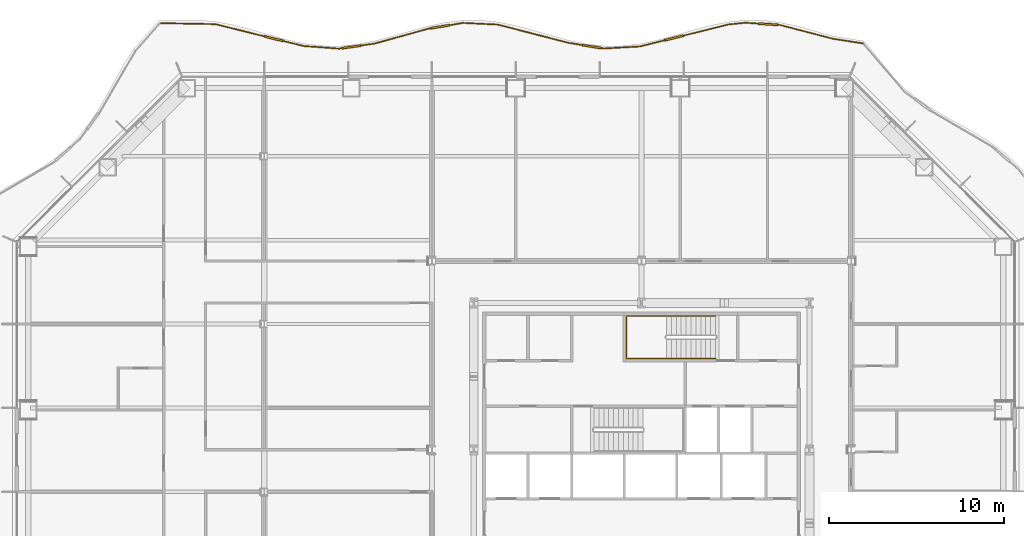
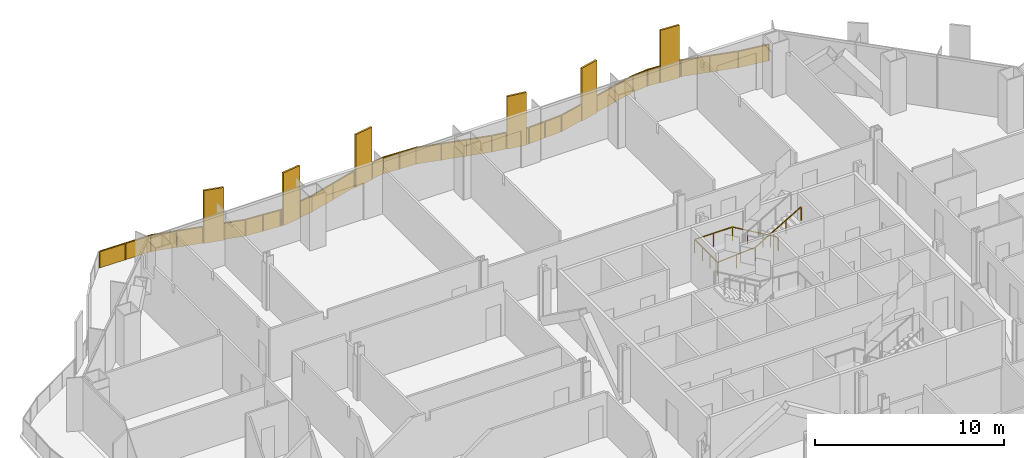
# One storey, part 20 of 21: 2 railings.
"""IFC4 building model written with IfcOpenShell, lengths in metres."""

from ifc_helpers import new_model, si_unit, direction, frame, origin, origin_2d, place, context, subcontext, project, spatial, polyline, rectangle, outline, extrude, material, type_object, element, save


model = new_model("IFC4")

# Units and contexts
model_context = context("Model", 3, precision=1e-05, world=origin(), true_north=direction((0.0, 1.0)))
body_context = subcontext(model_context, "Body", "Model", "MODEL_VIEW")
ifc_project = project(units=[si_unit("LENGTHUNIT", "METRE"), si_unit("AREAUNIT", "SQUARE_METRE"), si_unit("VOLUMEUNIT", "CUBIC_METRE"), si_unit("PLANEANGLEUNIT", "RADIAN"), si_unit("MASSUNIT", "GRAM", prefix="KILO")], contexts=[model_context])

# Site, building, storey
site_placement = place(None, origin())
site = spatial("IfcSite", under=ifc_project, at=site_placement, CompositionType="ELEMENT")
building_placement = place(site_placement, origin())
building = spatial("IfcBuilding", under=site, at=building_placement, Name="Cairn Pilgrim Tower", CompositionType="ELEMENT")
storey_placement = place(building_placement, frame((0.0, 0.0, 43.800048828125)))
storey = spatial("IfcBuildingStorey", under=building, at=storey_placement, Name="L08", CompositionType="ELEMENT", Elevation=43.800048828125)

# Railings
ifc_material_1 = material(Name="Bronze anodised aluminium rail, posts and fin screens with laminated glass infill", Category="aluminium")
railing_type_1 = type_object("IfcRailingType", Name="BALCONY GUARD WITH FIN SCREENS", PredefinedType="GUARDRAIL", material=ifc_material_1)
railing_1_placement = place(storey_placement, frame((19.8671875, 25.657958984375, 0.0)))
element("IfcRailing", 1, at=railing_1_placement, inside=storey, type_object=railing_type_1, Name="Balcony guard BGF-5 with fin screens", PredefinedType="GUARDRAIL", context=body_context, shape_type="SweptSolid", body=[
    extrude(rectangle(XDim=0.050048828125, YDim=0.050048828125, at=origin_2d()), frame((0.0, 0.0, 1.0751953125), z_axis=(-0.988673602471, 0.150081670358, 0.0), x_axis=(-0.150081670358, -0.988673602471, 0.0)), (0.0, 0.0, 1.0), 1.7275390625),
    extrude(rectangle(XDim=0.050048828125, YDim=0.050048828125, at=origin_2d()), frame((-1.7080078125, 0.25927734375, 1.0751953125), z_axis=(-0.967554226321, 0.252663450321, 0.0), x_axis=(-0.252663450321, -0.967554226321, 0.0)), (0.0, 0.0, 1.0), 3.126953125),
    extrude(rectangle(XDim=1.10009765625, YDim=0.110107421875, at=origin_2d()), frame((-5.431884765625, 1.095703125, 0.0), z_axis=(0.0, 0.0, 1.0), x_axis=(-0.997805650521, 0.066210903842, 0.0)), (0.0, 0.0, 1.0), 3.39990234375),
    extrude(rectangle(XDim=0.050048828125, YDim=0.050048828125, at=origin_2d()), frame((-4.7333984375, 1.04931640625, 1.0751953125), z_axis=(-0.997805650521, 0.066210903842, 0.0), x_axis=(-0.066210903842, -0.997805650521, 0.0)), (0.0, 0.0, 1.0), 0.14990234375),
    extrude(rectangle(XDim=0.050048828125, YDim=0.050048828125, at=origin_2d()), frame((-5.980712890625, 1.132080078125, 1.0751953125), z_axis=(-0.997805650521, 0.066210903842, 0.0), x_axis=(-0.066210903842, -0.997805650521, 0.0)), (0.0, 0.0, 1.0), 0.74853515625),
    extrude(rectangle(XDim=0.050048828125, YDim=0.050048828125, at=origin_2d()), frame((-6.7275390625, 1.181640625, 1.0751953125), z_axis=(-0.994675287043, -0.103058591808, 0.0), x_axis=(0.103058591808, -0.994675287043, 0.0)), (0.0, 0.0, 1.0), 0.99267578125),
    extrude(rectangle(XDim=1.10009765625, YDim=0.110107421875, at=origin_2d()), frame((-10.81787109375, 0.308349609375, 0.0), z_axis=(0.0, 0.0, 1.0), x_axis=(-0.970488827202, -0.241146089077, 0.0)), (0.0, 0.0, 1.0), 3.39990234375),
    extrude(rectangle(XDim=0.050048828125, YDim=0.050048828125, at=origin_2d()), frame((-7.71484375, 1.079345703125, 1.0751953125), z_axis=(-0.970488827202, -0.241146089077, 0.0), x_axis=(0.241146089077, -0.970488827202, 0.0)), (0.0, 0.0, 1.0), 2.6474609375),
    extrude(rectangle(XDim=0.050048828125, YDim=0.050048828125, at=origin_2d()), frame((-11.3515625, 0.17578125, 1.0751953125), z_axis=(-0.970488827202, -0.241146089077, 0.0), x_axis=(0.241146089077, -0.970488827202, 0.0)), (0.0, 0.0, 1.0), 1.462646484375),
    extrude(rectangle(XDim=0.050048828125, YDim=0.050048828125, at=origin_2d()), frame((-12.77099609375, -0.177001953125, 1.0751953125), z_axis=(-0.99837210781, -0.057036254671, 0.0), x_axis=(0.057036254671, -0.99837210781, 0.0)), (0.0, 0.0, 1.0), 2.0546875),
    extrude(rectangle(XDim=1.10009765625, YDim=0.110107421875, at=origin_2d()), frame((-15.513427734375, -0.183349609375, 0.0), z_axis=(0.0, 0.0, 1.0), x_axis=(-0.987376522111, 0.158390667606, 0.0)), (0.0, 0.0, 1.0), 3.39990234375),
    extrude(rectangle(XDim=0.050048828125, YDim=0.050048828125, at=origin_2d()), frame((-14.822265625, -0.294189453125, 1.0751953125), z_axis=(-0.987376522111, 0.158390667606, 0.0), x_axis=(-0.158390667606, -0.987376522111, 0.0)), (0.0, 0.0, 1.0), 0.14990234375),
    extrude(rectangle(XDim=0.050048828125, YDim=0.050048828125, at=origin_2d()), frame((-16.056396484375, -0.09619140625, 1.0751953125), z_axis=(-0.987376522111, 0.158390667606, 0.0), x_axis=(-0.158390667606, -0.987376522111, 0.0)), (0.0, 0.0, 1.0), 0.820068359375),
    extrude(rectangle(XDim=0.050048828125, YDim=0.050048828125, at=origin_2d()), frame((-16.8662109375, 0.03369140625, 1.0751953125), z_axis=(-0.968167478254, 0.250303284138, 0.0), x_axis=(-0.250303284138, -0.968167478254, 0.0)), (0.0, 0.0, 1.0), 4.166748046875),
    extrude(rectangle(XDim=0.050048828125, YDim=0.050048828125, at=origin_2d()), frame((-20.900390625, 1.07666015625, 1.0751953125), z_axis=(-0.998856739186, 0.047803918061, 0.0), x_axis=(-0.047803918061, -0.998856739186, 0.0)), (0.0, 0.0, 1.0), 1.99169921875),
    extrude(rectangle(XDim=1.10009765625, YDim=0.110107421875, at=origin_2d()), frame((-24.197021484375, 0.9521484375, 0.0), z_axis=(0.0, 0.0, 1.0), x_axis=(-0.986148493865, -0.165864848742, 0.0)), (0.0, 0.0, 1.0), 3.39990234375),
    extrude(rectangle(XDim=0.050048828125, YDim=0.050048828125, at=origin_2d()), frame((-22.889892578125, 1.171875, 1.0751953125), z_axis=(-0.986148493865, -0.165864848742, 0.0), x_axis=(0.165864848742, -0.986148493865, 0.0)), (0.0, 0.0, 1.0), 0.775390625),
    extrude(rectangle(XDim=0.050048828125, YDim=0.050048828125, at=origin_2d()), frame((-24.7392578125, 0.86083984375, 1.0751953125), z_axis=(-0.986148493865, -0.165864848742, 0.0), x_axis=(0.165864848742, -0.986148493865, 0.0)), (0.0, 0.0, 1.0), 0.14990234375),
    extrude(rectangle(XDim=0.050048828125, YDim=0.050048828125, at=origin_2d()), frame((-24.88720703125, 0.8359375, 1.0751953125), z_axis=(-0.963679976665, -0.267059735967, 0.0), x_axis=(0.267059735967, -0.963679976665, 0.0)), (0.0, 0.0, 1.0), 3.1474609375),
    extrude(rectangle(XDim=1.10009765625, YDim=0.110107421875, at=origin_2d()), frame((-29.2744140625, -0.201416015625, 0.0), z_axis=(0.0, 0.0, 1.0), x_axis=(-0.989611491107, -0.143767509085, 0.0)), (0.0, 0.0, 1.0), 3.39990234375),
    extrude(rectangle(XDim=0.050048828125, YDim=0.050048828125, at=origin_2d()), frame((-27.92041015625, -0.004638671875, 1.0751953125), z_axis=(-0.989611491107, -0.143767509085, 0.0), x_axis=(0.143767509085, -0.989611491107, 0.0)), (0.0, 0.0, 1.0), 0.818115234375),
    extrude(rectangle(XDim=0.050048828125, YDim=0.050048828125, at=origin_2d()), frame((-29.818603515625, -0.280517578125, 1.0751953125), z_axis=(-0.989611491107, -0.143767509085, 0.0), x_axis=(0.143767509085, -0.989611491107, 0.0)), (0.0, 0.0, 1.0), 0.150146484375),
    extrude(rectangle(XDim=0.050048828125, YDim=0.050048828125, at=origin_2d()), frame((-29.96728515625, -0.302001953125, 1.0751953125), z_axis=(-0.997241444051, 0.0742260215, 0.0), x_axis=(-0.0742260215, -0.997241444051, 0.0)), (0.0, 0.0, 1.0), 2.0556640625),
    extrude(rectangle(XDim=1.10009765625, YDim=0.110107421875, at=origin_2d()), frame((-33.7265625, 0.274169921875, 0.0), z_axis=(0.0, 0.0, 1.0), x_axis=(-0.970653918923, 0.240480705419, 0.0)), (0.0, 0.0, 1.0), 3.39990234375),
    extrude(rectangle(XDim=0.050048828125, YDim=0.050048828125, at=origin_2d()), frame((-32.017333984375, -0.1494140625, 1.0751953125), z_axis=(-0.970653918923, 0.240480705419, 0.0), x_axis=(-0.240480705419, -0.970653918923, 0.0)), (0.0, 0.0, 1.0), 1.2109375),
    extrude(rectangle(XDim=0.050048828125, YDim=0.050048828125, at=origin_2d()), frame((-34.260498046875, 0.40625, 1.0751953125), z_axis=(-0.970653918923, 0.240480705419, 0.0), x_axis=(-0.240480705419, -0.970653918923, 0.0)), (0.0, 0.0, 1.0), 2.89013671875),
    extrude(rectangle(XDim=0.050048828125, YDim=0.050048828125, at=origin_2d()), frame((-37.065673828125, 1.101318359375, 1.0751953125), z_axis=(-0.999837855358, 0.018007303883, 0.0), x_axis=(-0.018007303883, -0.999837855358, 0.0)), (0.0, 0.0, 1.0), 3.104736328125),
    extrude(rectangle(XDim=0.050048828125, YDim=0.050048828125, at=origin_2d()), origin(), (0.0, 0.0, 1.0), 1.050048828125),
    extrude(rectangle(XDim=0.050048828125, YDim=0.050048828125, at=origin_2d()), frame((-1.7080078125, 0.25927734375, 0.0)), (0.0, 0.0, 1.0), 1.050048828125),
    extrude(rectangle(XDim=0.050048828125, YDim=0.050048828125, at=origin_2d()), frame((-3.220703125, 0.654296875, 0.0)), (0.0, 0.0, 1.0), 1.050048828125),
    extrude(rectangle(XDim=0.050048828125, YDim=0.050048828125, at=origin_2d()), frame((-4.7333984375, 1.04931640625, 0.0)), (0.0, 0.0, 1.0), 1.050048828125),
    extrude(rectangle(XDim=0.050048828125, YDim=0.050048828125, at=origin_2d()), frame((-4.858154296875, 1.0576171875, 0.0)), (0.0, 0.0, 1.0), 1.050048828125),
    extrude(rectangle(XDim=0.050048828125, YDim=0.050048828125, at=origin_2d()), frame((-6.005615234375, 1.1337890625, 0.0)), (0.0, 0.0, 1.0), 1.050048828125),
    extrude(rectangle(XDim=0.050048828125, YDim=0.050048828125, at=origin_2d()), frame((-6.7275390625, 1.181640625, 0.0)), (0.0, 0.0, 1.0), 1.050048828125),
    extrude(rectangle(XDim=0.050048828125, YDim=0.050048828125, at=origin_2d()), frame((-7.71484375, 1.079345703125, 0.0)), (0.0, 0.0, 1.0), 1.050048828125),
    extrude(rectangle(XDim=0.050048828125, YDim=0.050048828125, at=origin_2d()), frame((-8.9873046875, 0.76318359375, 0.0)), (0.0, 0.0, 1.0), 1.050048828125),
    extrude(rectangle(XDim=0.050048828125, YDim=0.050048828125, at=origin_2d()), frame((-10.259765625, 0.447021484375, 0.0)), (0.0, 0.0, 1.0), 1.050048828125),
    extrude(rectangle(XDim=0.050048828125, YDim=0.050048828125, at=origin_2d()), frame((-11.3759765625, 0.169677734375, 0.0)), (0.0, 0.0, 1.0), 1.050048828125),
    extrude(rectangle(XDim=0.050048828125, YDim=0.050048828125, at=origin_2d()), frame((-12.77099609375, -0.177001953125, 0.0)), (0.0, 0.0, 1.0), 1.050048828125),
    extrude(rectangle(XDim=0.050048828125, YDim=0.050048828125, at=origin_2d()), frame((-13.796630859375, -0.235595703125, 0.0)), (0.0, 0.0, 1.0), 1.050048828125),
    extrude(rectangle(XDim=0.050048828125, YDim=0.050048828125, at=origin_2d()), frame((-14.822265625, -0.294189453125, 0.0)), (0.0, 0.0, 1.0), 1.050048828125),
    extrude(rectangle(XDim=0.050048828125, YDim=0.050048828125, at=origin_2d()), frame((-14.945556640625, -0.2744140625, 0.0)), (0.0, 0.0, 1.0), 1.050048828125),
    extrude(rectangle(XDim=0.050048828125, YDim=0.050048828125, at=origin_2d()), frame((-16.0810546875, -0.09228515625, 0.0)), (0.0, 0.0, 1.0), 1.050048828125),
    extrude(rectangle(XDim=0.050048828125, YDim=0.050048828125, at=origin_2d()), frame((-16.8662109375, 0.03369140625, 0.0)), (0.0, 0.0, 1.0), 1.050048828125),
    extrude(rectangle(XDim=0.050048828125, YDim=0.050048828125, at=origin_2d()), frame((-18.2109375, 0.38134765625, 0.0)), (0.0, 0.0, 1.0), 1.050048828125),
    extrude(rectangle(XDim=0.050048828125, YDim=0.050048828125, at=origin_2d()), frame((-19.5556640625, 0.72900390625, 0.0)), (0.0, 0.0, 1.0), 1.050048828125),
    extrude(rectangle(XDim=0.050048828125, YDim=0.050048828125, at=origin_2d()), frame((-20.900390625, 1.07666015625, 0.0)), (0.0, 0.0, 1.0), 1.050048828125),
    extrude(rectangle(XDim=0.050048828125, YDim=0.050048828125, at=origin_2d()), frame((-21.89501953125, 1.124267578125, 0.0)), (0.0, 0.0, 1.0), 1.050048828125),
    extrude(rectangle(XDim=0.050048828125, YDim=0.050048828125, at=origin_2d()), frame((-22.889892578125, 1.171875, 0.0)), (0.0, 0.0, 1.0), 1.050048828125),
    extrude(rectangle(XDim=0.050048828125, YDim=0.050048828125, at=origin_2d()), frame((-23.6298828125, 1.04736328125, 0.0)), (0.0, 0.0, 1.0), 1.050048828125),
    extrude(rectangle(XDim=0.050048828125, YDim=0.050048828125, at=origin_2d()), frame((-24.763916015625, 0.856689453125, 0.0)), (0.0, 0.0, 1.0), 1.050048828125),
    extrude(rectangle(XDim=0.050048828125, YDim=0.050048828125, at=origin_2d()), frame((-24.88720703125, 0.8359375, 0.0)), (0.0, 0.0, 1.0), 1.050048828125),
    extrude(rectangle(XDim=0.050048828125, YDim=0.050048828125, at=origin_2d()), frame((-26.40380859375, 0.41552734375, 0.0)), (0.0, 0.0, 1.0), 1.050048828125),
    extrude(rectangle(XDim=0.050048828125, YDim=0.050048828125, at=origin_2d()), frame((-27.92041015625, -0.004638671875, 0.0)), (0.0, 0.0, 1.0), 1.050048828125),
    extrude(rectangle(XDim=0.050048828125, YDim=0.050048828125, at=origin_2d()), frame((-28.705322265625, -0.11865234375, 0.0)), (0.0, 0.0, 1.0), 1.050048828125),
    extrude(rectangle(XDim=0.050048828125, YDim=0.050048828125, at=origin_2d()), frame((-29.843505859375, -0.283935546875, 0.0)), (0.0, 0.0, 1.0), 1.050048828125),
    extrude(rectangle(XDim=0.050048828125, YDim=0.050048828125, at=origin_2d()), frame((-29.96728515625, -0.302001953125, 0.0)), (0.0, 0.0, 1.0), 1.050048828125),
    extrude(rectangle(XDim=0.050048828125, YDim=0.050048828125, at=origin_2d()), frame((-30.9921875, -0.2255859375, 0.0)), (0.0, 0.0, 1.0), 1.050048828125),
    extrude(rectangle(XDim=0.050048828125, YDim=0.050048828125, at=origin_2d()), frame((-32.017333984375, -0.1494140625, 0.0)), (0.0, 0.0, 1.0), 1.050048828125),
    extrude(rectangle(XDim=0.050048828125, YDim=0.050048828125, at=origin_2d()), frame((-33.16845703125, 0.1357421875, 0.0)), (0.0, 0.0, 1.0), 1.050048828125),
    extrude(rectangle(XDim=0.050048828125, YDim=0.050048828125, at=origin_2d()), frame((-34.28466796875, 0.412353515625, 0.0)), (0.0, 0.0, 1.0), 1.050048828125),
    extrude(rectangle(XDim=0.050048828125, YDim=0.050048828125, at=origin_2d()), frame((-35.67529296875, 0.7568359375, 0.0)), (0.0, 0.0, 1.0), 1.050048828125),
    extrude(rectangle(XDim=0.050048828125, YDim=0.050048828125, at=origin_2d()), frame((-37.065673828125, 1.101318359375, 0.0)), (0.0, 0.0, 1.0), 1.050048828125),
    extrude(rectangle(XDim=0.050048828125, YDim=0.050048828125, at=origin_2d()), frame((-38.61767578125, 1.12939453125, 0.0)), (0.0, 0.0, 1.0), 1.050048828125),
    extrude(rectangle(XDim=0.050048828125, YDim=0.050048828125, at=origin_2d()), frame((-40.169921875, 1.1572265625, 0.0)), (0.0, 0.0, 1.0), 1.050048828125),
    extrude(outline(polyline([(0.02490234375, 0.0), (1.70263671875, 0.0), (1.70263671875, 1.050048828125), (0.02490234375, 1.050048828125), (0.02490234375, 0.0)])), frame((-0.0009765625, -0.005859375, 0.0), z_axis=(0.150081670358, 0.988673602471, 0.0), x_axis=(-0.988673602471, 0.150081670358, 0.0)), (0.0, 0.0, 1.0), 0.011962890625),
    extrude(outline(polyline([(0.02490234375, 0.0), (1.538330078125, 0.0), (1.538330078125, 1.050048828125), (0.02490234375, 1.050048828125), (0.02490234375, 0.0)])), frame((-1.70947265625, 0.25341796875, 0.0), z_axis=(0.252663450321, 0.967554226321, 0.0), x_axis=(-0.967554226321, 0.252663450321, 0.0)), (0.0, 0.0, 1.0), 0.011962890625),
    extrude(outline(polyline([(0.02490234375, 0.0), (1.538330078125, 0.0), (1.538330078125, 1.050048828125), (0.02490234375, 1.050048828125), (0.02490234375, 0.0)])), frame((-3.22216796875, 0.6484375, 0.0), z_axis=(0.252663450321, 0.967554226321, 0.0), x_axis=(-0.967554226321, 0.252663450321, 0.0)), (0.0, 0.0, 1.0), 0.011962890625),
    extrude(outline(polyline([(0.02490234375, 0.0), (0.099853515625, 0.0), (0.099853515625, 1.050048828125), (0.02490234375, 1.050048828125), (0.02490234375, 0.0)])), frame((-4.73388671875, 1.04345703125, 0.0), z_axis=(0.066210903842, 0.997805650521, 0.0), x_axis=(-0.997805650521, 0.066210903842, 0.0)), (0.0, 0.0, 1.0), 0.011962890625),
    extrude(outline(polyline([(0.02490234375, 0.0), (0.698486328125, 0.0), (0.698486328125, 1.050048828125), (0.02490234375, 1.050048828125), (0.02490234375, 0.0)])), frame((-6.006103515625, 1.127685546875, 0.0), z_axis=(0.066210903842, 0.997805650521, 0.0), x_axis=(-0.997805650521, 0.066210903842, 0.0)), (0.0, 0.0, 1.0), 0.011962890625),
    extrude(outline(polyline([(0.02490234375, 0.0), (0.967529296875, 0.0), (0.967529296875, 1.050048828125), (0.02490234375, 1.050048828125), (0.02490234375, 0.0)])), frame((-6.726806640625, 1.17578125, 0.0), z_axis=(-0.103058591808, 0.994675287043, 0.0), x_axis=(-0.994675287043, -0.103058591808, 0.0)), (0.0, 0.0, 1.0), 0.011962890625),
    extrude(outline(polyline([(0.02490234375, 0.0), (1.2861328125, 0.0), (1.2861328125, 1.050048828125), (0.02490234375, 1.050048828125), (0.02490234375, 0.0)])), frame((-7.71337890625, 1.073486328125, 0.0), z_axis=(-0.241146089077, 0.970488827202, 0.0), x_axis=(-0.970488827202, -0.241146089077, 0.0)), (0.0, 0.0, 1.0), 0.011962890625),
    extrude(outline(polyline([(0.02490234375, 0.0), (1.2861328125, 0.0), (1.2861328125, 1.050048828125), (0.02490234375, 1.050048828125), (0.02490234375, 0.0)])), frame((-8.98583984375, 0.75732421875, 0.0), z_axis=(-0.241146089077, 0.970488827202, 0.0), x_axis=(-0.970488827202, -0.241146089077, 0.0)), (0.0, 0.0, 1.0), 0.011962890625),
    extrude(outline(polyline([(0.02490234375, 0.0), (1.41259765625, 0.0), (1.41259765625, 1.050048828125), (0.02490234375, 1.050048828125), (0.02490234375, 0.0)])), frame((-11.37451171875, 0.163818359375, 0.0), z_axis=(-0.241146089077, 0.970488827202, 0.0), x_axis=(-0.970488827202, -0.241146089077, 0.0)), (0.0, 0.0, 1.0), 0.011962890625),
    extrude(outline(polyline([(0.02490234375, 0.0), (1.002197265625, 0.0), (1.002197265625, 1.050048828125), (0.02490234375, 1.050048828125), (0.02490234375, 0.0)])), frame((-12.770751953125, -0.182861328125, 0.0), z_axis=(-0.057036254671, 0.99837210781, 0.0), x_axis=(-0.99837210781, -0.057036254671, 0.0)), (0.0, 0.0, 1.0), 0.011962890625),
    extrude(outline(polyline([(0.02490234375, 0.0), (1.002197265625, 0.0), (1.002197265625, 1.050048828125), (0.02490234375, 1.050048828125), (0.02490234375, 0.0)])), frame((-13.79638671875, -0.241455078125, 0.0), z_axis=(-0.057036254671, 0.99837210781, 0.0), x_axis=(-0.99837210781, -0.057036254671, 0.0)), (0.0, 0.0, 1.0), 0.011962890625),
    extrude(outline(polyline([(0.02490234375, 0.0), (0.099853515625, 0.0), (0.099853515625, 1.050048828125), (0.02490234375, 1.050048828125), (0.02490234375, 0.0)])), frame((-14.8232421875, -0.300048828125, 0.0), z_axis=(0.158390667606, 0.987376522111, 0.0), x_axis=(-0.987376522111, 0.158390667606, 0.0)), (0.0, 0.0, 1.0), 0.011962890625),
    extrude(outline(polyline([(0.02490234375, 0.0), (0.77001953125, 0.0), (0.77001953125, 1.050048828125), (0.02490234375, 1.050048828125), (0.02490234375, 0.0)])), frame((-16.08203125, -0.09814453125, 0.0), z_axis=(0.158390667606, 0.987376522111, 0.0), x_axis=(-0.987376522111, 0.158390667606, 0.0)), (0.0, 0.0, 1.0), 0.011962890625),
    extrude(outline(polyline([(0.02490234375, 0.0), (1.364013671875, 0.0), (1.364013671875, 1.050048828125), (0.02490234375, 1.050048828125), (0.02490234375, 0.0)])), frame((-16.86767578125, 0.02783203125, 0.0), z_axis=(0.250303284138, 0.968167478254, 0.0), x_axis=(-0.968167478254, 0.250303284138, 0.0)), (0.0, 0.0, 1.0), 0.011962890625),
    extrude(outline(polyline([(0.02490234375, 0.0), (1.364013671875, 0.0), (1.364013671875, 1.050048828125), (0.02490234375, 1.050048828125), (0.02490234375, 0.0)])), frame((-18.21240234375, 0.37548828125, 0.0), z_axis=(0.250303284138, 0.968167478254, 0.0), x_axis=(-0.968167478254, 0.250303284138, 0.0)), (0.0, 0.0, 1.0), 0.011962890625),
    extrude(outline(polyline([(0.02490234375, 0.0), (1.364013671875, 0.0), (1.364013671875, 1.050048828125), (0.02490234375, 1.050048828125), (0.02490234375, 0.0)])), frame((-19.55712890625, 0.72314453125, 0.0), z_axis=(0.250303284138, 0.968167478254, 0.0), x_axis=(-0.968167478254, 0.250303284138, 0.0)), (0.0, 0.0, 1.0), 0.011962890625),
    extrude(outline(polyline([(0.02490234375, 0.0), (0.970947265625, 0.0), (0.970947265625, 1.050048828125), (0.02490234375, 1.050048828125), (0.02490234375, 0.0)])), frame((-20.900634765625, 1.07080078125, 0.0), z_axis=(0.047803918061, 0.998856739186, 0.0), x_axis=(-0.998856739186, 0.047803918061, 0.0)), (0.0, 0.0, 1.0), 0.011962890625),
    extrude(outline(polyline([(0.02490234375, 0.0), (0.970947265625, 0.0), (0.970947265625, 1.050048828125), (0.02490234375, 1.050048828125), (0.02490234375, 0.0)])), frame((-21.8955078125, 1.118408203125, 0.0), z_axis=(0.047803918061, 0.998856739186, 0.0), x_axis=(-0.998856739186, 0.047803918061, 0.0)), (0.0, 0.0, 1.0), 0.011962890625),
    extrude(outline(polyline([(0.02490234375, 0.0), (0.725341796875, 0.0), (0.725341796875, 1.050048828125), (0.02490234375, 1.050048828125), (0.02490234375, 0.0)])), frame((-22.888916015625, 1.166015625, 0.0), z_axis=(-0.165864848742, 0.986148493865, 0.0), x_axis=(-0.986148493865, -0.165864848742, 0.0)), (0.0, 0.0, 1.0), 0.011962890625),
    extrude(outline(polyline([(0.02490234375, 0.0), (0.099853515625, 0.0), (0.099853515625, 1.050048828125), (0.02490234375, 1.050048828125), (0.02490234375, 0.0)])), frame((-24.762939453125, 0.850830078125, 0.0), z_axis=(-0.165864848742, 0.986148493865, 0.0), x_axis=(-0.986148493865, -0.165864848742, 0.0)), (0.0, 0.0, 1.0), 0.011962890625),
    extrude(outline(polyline([(0.02490234375, 0.0), (1.548828125, 0.0), (1.548828125, 1.050048828125), (0.02490234375, 1.050048828125), (0.02490234375, 0.0)])), frame((-24.885498046875, 0.830078125, 0.0), z_axis=(-0.267059735967, 0.963679976665, 0.0), x_axis=(-0.963679976665, -0.267059735967, 0.0)), (0.0, 0.0, 1.0), 0.011962890625),
    extrude(outline(polyline([(0.02490234375, 0.0), (1.548828125, 0.0), (1.548828125, 1.050048828125), (0.02490234375, 1.050048828125), (0.02490234375, 0.0)])), frame((-26.402099609375, 0.409912109375, 0.0), z_axis=(-0.267059735967, 0.963679976665, 0.0), x_axis=(-0.963679976665, -0.267059735967, 0.0)), (0.0, 0.0, 1.0), 0.011962890625),
    extrude(outline(polyline([(0.02490234375, 0.0), (0.76806640625, 0.0), (0.76806640625, 1.050048828125), (0.02490234375, 1.050048828125), (0.02490234375, 0.0)])), frame((-27.91943359375, -0.010498046875, 0.0), z_axis=(-0.143767509085, 0.989611491107, 0.0), x_axis=(-0.989611491107, -0.143767509085, 0.0)), (0.0, 0.0, 1.0), 0.011962890625),
    extrude(outline(polyline([(0.02490234375, 0.0), (0.10009765625, 0.0), (0.10009765625, 1.050048828125), (0.02490234375, 1.050048828125), (0.02490234375, 0.0)])), frame((-29.842529296875, -0.2900390625, 0.0), z_axis=(-0.143767509085, 0.989611491107, 0.0), x_axis=(-0.989611491107, -0.143767509085, 0.0)), (0.0, 0.0, 1.0), 0.011962890625),
    extrude(outline(polyline([(0.02490234375, 0.0), (1.0029296875, 0.0), (1.0029296875, 1.050048828125), (0.02490234375, 1.050048828125), (0.02490234375, 0.0)])), frame((-29.9677734375, -0.307861328125, 0.0), z_axis=(0.0742260215, 0.997241444051, 0.0), x_axis=(-0.997241444051, 0.0742260215, 0.0)), (0.0, 0.0, 1.0), 0.011962890625),
    extrude(outline(polyline([(0.02490234375, 0.0), (1.0029296875, 0.0), (1.0029296875, 1.050048828125), (0.02490234375, 1.050048828125), (0.02490234375, 0.0)])), frame((-30.99267578125, -0.231689453125, 0.0), z_axis=(0.0742260215, 0.997241444051, 0.0), x_axis=(-0.997241444051, 0.0742260215, 0.0)), (0.0, 0.0, 1.0), 0.011962890625),
    extrude(outline(polyline([(0.02490234375, 0.0), (1.160888671875, 0.0), (1.160888671875, 1.050048828125), (0.02490234375, 1.050048828125), (0.02490234375, 0.0)])), frame((-32.018798828125, -0.1552734375, 0.0), z_axis=(0.240480705419, 0.970653918923, 0.0), x_axis=(-0.970653918923, 0.240480705419, 0.0)), (0.0, 0.0, 1.0), 0.011962890625),
    extrude(outline(polyline([(0.02490234375, 0.0), (1.407470703125, 0.0), (1.407470703125, 1.050048828125), (0.02490234375, 1.050048828125), (0.02490234375, 0.0)])), frame((-34.2861328125, 0.406494140625, 0.0), z_axis=(0.240480705419, 0.970653918923, 0.0), x_axis=(-0.970653918923, 0.240480705419, 0.0)), (0.0, 0.0, 1.0), 0.011962890625),
    extrude(outline(polyline([(0.02490234375, 0.0), (1.407470703125, 0.0), (1.407470703125, 1.050048828125), (0.02490234375, 1.050048828125), (0.02490234375, 0.0)])), frame((-35.676513671875, 0.7509765625, 0.0), z_axis=(0.240480705419, 0.970653918923, 0.0), x_axis=(-0.970653918923, 0.240480705419, 0.0)), (0.0, 0.0, 1.0), 0.011962890625),
    extrude(outline(polyline([(0.02490234375, 0.0), (1.52734375, 0.0), (1.52734375, 1.050048828125), (0.02490234375, 1.050048828125), (0.02490234375, 0.0)])), frame((-37.065673828125, 1.095458984375, 0.0), z_axis=(0.018007303883, 0.999837855358, 0.0), x_axis=(-0.999837855358, 0.018007303883, 0.0)), (0.0, 0.0, 1.0), 0.011962890625),
    extrude(outline(polyline([(0.02490234375, 0.0), (1.52734375, 0.0), (1.52734375, 1.050048828125), (0.02490234375, 1.050048828125), (0.02490234375, 0.0)])), frame((-38.617919921875, 1.123291015625, 0.0), z_axis=(0.018007303883, 0.999837855358, 0.0), x_axis=(-0.999837855358, 0.018007303883, 0.0)), (0.0, 0.0, 1.0), 0.011962890625),
])
ifc_material_2 = material(Name="Painted steel", Category="steel")
railing_type_2 = type_object("IfcRailingType", Name="STAIR HANDRAIL 900", PredefinedType="HANDRAIL", material=ifc_material_2)
railing_2_placement = place(storey_placement, frame((11.425048828125, 10.050048828125, 0.16357421875)))
element("IfcRailing", 2, at=railing_2_placement, inside=storey, type_object=railing_type_2, Name="L08 ST-C stair handrail 1", PredefinedType="HANDRAIL", context=body_context, shape_type="SweptSolid", body=[
    extrude(rectangle(XDim=0.048095703125, YDim=0.048095703125, at=origin_2d()), frame((0.0, 0.0, 0.8759765625), z_axis=(-0.863360870873, 0.0, 0.504586966384), x_axis=(0.0, -1.0, 0.0)), (0.0, 0.0, 1.0), 3.2431640625),
    extrude(rectangle(XDim=0.048095703125, YDim=0.048095703125, at=origin_2d()), frame((-2.800048828125, 0.0, 2.51220703125), z_axis=(-1.0, 0.0, 0.0), x_axis=(0.0, -1.0, 0.0)), (0.0, 0.0, 1.0), 2.300048828125),
    extrude(rectangle(XDim=0.048095703125, YDim=0.048095703125, at=origin_2d()), frame((-5.10009765625, 0.0, 2.51220703125), z_axis=(0.0, -1.0, 0.0), x_axis=(1.0, 0.0, 0.0)), (0.0, 0.0, 1.0), 2.425048828125),
    extrude(rectangle(XDim=0.048095703125, YDim=0.048095703125, at=origin_2d()), frame((-5.10009765625, -2.425048828125, 2.51220703125), z_axis=(0.997480687736, 0.0, 0.070938548008), x_axis=(0.0, 1.0, 0.0)), (0.0, 0.0, 1.0), 2.305908203125),
    extrude(rectangle(XDim=0.048095703125, YDim=0.048095703125, at=origin_2d()), frame((-2.800048828125, -2.425048828125, 2.67578125), z_axis=(0.863393664356, 0.0, 0.504530851732), x_axis=(0.0, 1.0, 0.0)), (0.0, 0.0, 1.0), 3.2431640625),
    extrude(rectangle(XDim=0.0419921875, YDim=0.0419921875, at=origin_2d()), origin(), (0.0, 0.0, 1.0), 0.851806640625),
    extrude(rectangle(XDim=0.0419921875, YDim=0.0419921875, at=origin_2d()), frame((-0.933349609375, 0.0, 0.54541015625)), (0.0, 0.0, 1.0), 0.851806640625),
    extrude(rectangle(XDim=0.0419921875, YDim=0.0419921875, at=origin_2d()), frame((-1.86669921875, 0.0, 1.091064453125)), (0.0, 0.0, 1.0), 0.851806640625),
    extrude(rectangle(XDim=0.0419921875, YDim=0.0419921875, at=origin_2d()), frame((-2.800048828125, 0.0, 1.636474609375)), (0.0, 0.0, 1.0), 0.851806640625),
    extrude(rectangle(XDim=0.0419921875, YDim=0.0419921875, at=origin_2d()), frame((-3.9501953125, 0.0, 1.636474609375)), (0.0, 0.0, 1.0), 0.851806640625),
    extrude(rectangle(XDim=0.0419921875, YDim=0.0419921875, at=origin_2d()), frame((-5.10009765625, 0.0, 1.636474609375)), (0.0, 0.0, 1.0), 0.851806640625),
    extrude(rectangle(XDim=0.0419921875, YDim=0.0419921875, at=origin_2d()), frame((-5.10009765625, -0.808349609375, 1.636474609375)), (0.0, 0.0, 1.0), 0.851806640625),
    extrude(rectangle(XDim=0.0419921875, YDim=0.0419921875, at=origin_2d()), frame((-5.10009765625, -1.61669921875, 1.636474609375)), (0.0, 0.0, 1.0), 0.851806640625),
    extrude(rectangle(XDim=0.0419921875, YDim=0.0419921875, at=origin_2d()), frame((-5.10009765625, -2.425048828125, 1.636474609375)), (0.0, 0.0, 1.0), 0.851806640625),
    extrude(rectangle(XDim=0.0419921875, YDim=0.0419921875, at=origin_2d()), frame((-3.9501953125, -2.425048828125, 1.71826171875)), (0.0, 0.0, 1.0), 0.851806640625),
    extrude(rectangle(XDim=0.0419921875, YDim=0.0419921875, at=origin_2d()), frame((-2.800048828125, -2.425048828125, 1.800048828125)), (0.0, 0.0, 1.0), 0.851806640625),
    extrude(rectangle(XDim=0.0419921875, YDim=0.0419921875, at=origin_2d()), frame((-1.86669921875, -2.425048828125, 2.345458984375)), (0.0, 0.0, 1.0), 0.851806640625),
    extrude(rectangle(XDim=0.0419921875, YDim=0.0419921875, at=origin_2d()), frame((-0.933349609375, -2.425048828125, 2.890869140625)), (0.0, 0.0, 1.0), 0.851806640625),
    extrude(rectangle(XDim=0.0419921875, YDim=0.0419921875, at=origin_2d()), frame((0.0, -2.425048828125, 3.436279296875)), (0.0, 0.0, 1.0), 0.851806640625),
])

save(model, "model.ifc")
